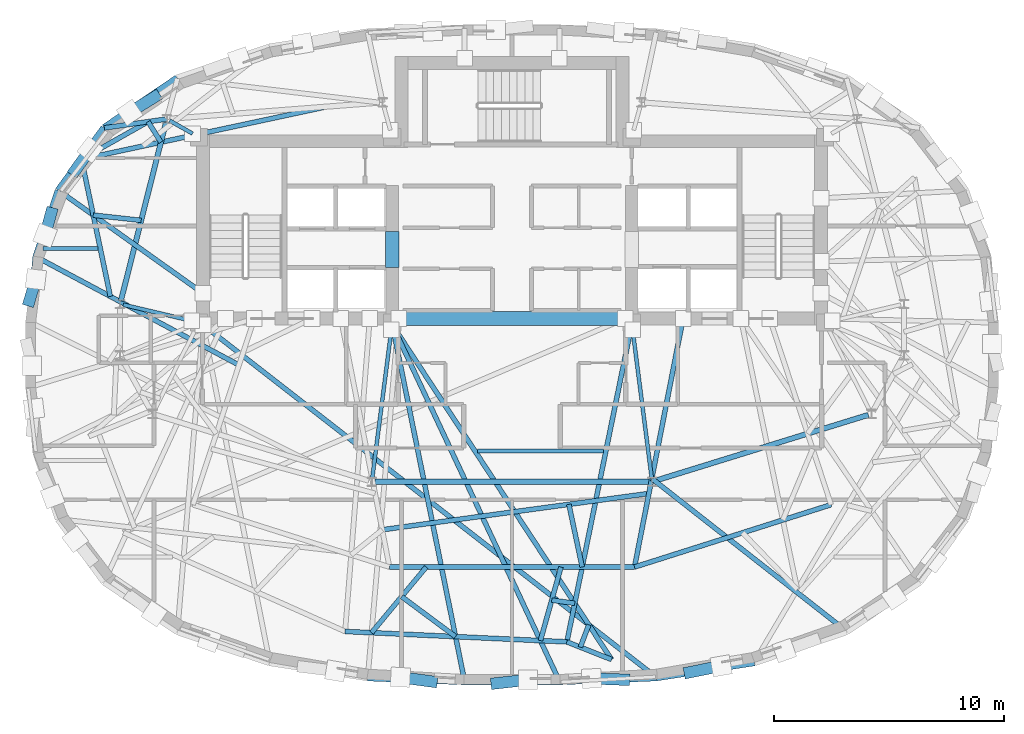
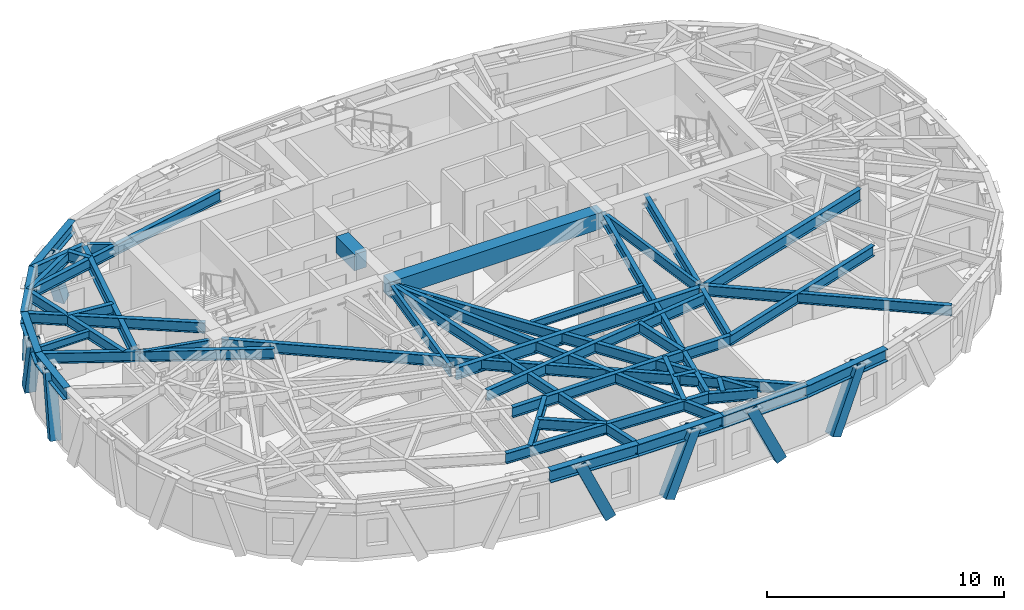
# One storey, part 2 of 12: 45 beams, 8 members.
"""IFC4 building model written with IfcOpenShell, lengths in metres."""

from ifc_helpers import new_model, si_unit, direction, frame, origin, origin_2d, place, context, subcontext, project, spatial, rectangle, hollow_rectangle, i_section, extrude, material, material_profile, profile_set, type_object, element, save


model = new_model("IFC4")

# Units and contexts
model_context = context("Model", 3, precision=1e-05, world=origin(), true_north=direction((0.0, 1.0)))
body_context = subcontext(model_context, "Body", "Model", "MODEL_VIEW")
ifc_project = project(units=[si_unit("LENGTHUNIT", "METRE"), si_unit("AREAUNIT", "SQUARE_METRE"), si_unit("VOLUMEUNIT", "CUBIC_METRE"), si_unit("PLANEANGLEUNIT", "RADIAN"), si_unit("MASSUNIT", "GRAM", prefix="KILO")], contexts=[model_context])

# Site, building, storey
site_placement = place(None, origin())
site = spatial("IfcSite", under=ifc_project, at=site_placement, CompositionType="ELEMENT")
building_placement = place(site_placement, origin())
building = spatial("IfcBuilding", under=site, at=building_placement, Name="Keldmark Tower", CompositionType="ELEMENT")
storey_placement = place(building_placement, frame((0.0, 0.0, 247.800048828125)))
storey = spatial("IfcBuildingStorey", under=building, at=storey_placement, Name="L70", CompositionType="ELEMENT", Elevation=247.800048828125)

# Beams
ifc_material_1 = material(Name="Steel ASTM A992 Grade 50", Category="steel")
ifc_material_profile_1 = material_profile(ifc_material_1, i_section(OverallWidth=0.177978515625, OverallDepth=0.403076171875, WebThickness=0.007568359375, FlangeThickness=0.010986328125, at=origin_2d()), Name="W16X36")
ifc_profile_set_1 = profile_set([ifc_material_profile_1], Name="Steel ASTM A992 Grade 50")
beam_type_1 = type_object("IfcBeamType", Name="Composite Floor Joist W16X36", PredefinedType="JOIST", material=ifc_profile_set_1)
beam_1_placement = place(storey_placement, frame((-1.493896484375, -4.179931640625, 2.7685546875), z_axis=(1.0, 0.0, 0.0), x_axis=(0.0, 1.0, 0.0)))
element("IfcBeam", 1, at=beam_1_placement, inside=storey, type_object=beam_type_1, Name="L70 Composite Floor Joist J04", PredefinedType="JOIST", context=body_context, shape_type="SweptSolid", body=[
    extrude(i_section(OverallWidth=0.177978515625, OverallDepth=0.403076171875, WebThickness=0.007568359375, FlangeThickness=0.010986328125, at=origin_2d()), origin(), (0.0, 0.0, 1.0), 5.4755859375),
])
beam_2_placement = place(storey_placement, frame((-20.373046875, 4.6201171875, 2.7685546875), z_axis=(1.0, 0.0, 0.0), x_axis=(0.0, 1.0, 0.0)))
element("IfcBeam", 2, at=beam_2_placement, inside=storey, type_object=beam_type_1, Name="L70 Composite Floor Joist J05", PredefinedType="JOIST", context=body_context, shape_type="SweptSolid", body=[
    extrude(i_section(OverallWidth=0.177978515625, OverallDepth=0.403076171875, WebThickness=0.007568359375, FlangeThickness=0.010986328125, at=origin_2d()), origin(), (0.0, 0.0, 1.0), 2.387939453125),
])
ifc_material_2 = material(Name="Concrete C50/60", Category="concrete")
ifc_material_profile_2 = material_profile(ifc_material_2, rectangle(XDim=0.60009765625, YDim=0.85009765625, at=origin_2d()), Name="RCB600X850")
ifc_profile_set_2 = profile_set([ifc_material_profile_2], Name="Concrete C50/60")
beam_type_2 = type_object("IfcBeamType", Name="Core Coupling Beam RCB600X850", PredefinedType="USERDEFINED", material=ifc_profile_set_2)
beam_3_placement = place(storey_placement, frame((-5.199951171875, 3.800048828125, 2.544921875), z_axis=(0.0, 1.0, 0.0), x_axis=(-1.0, 0.0, 0.0)))
element("IfcBeam", 3, at=beam_3_placement, inside=storey, type_object=beam_type_2, Name="L70 West Core Coupling Beam", ObjectType="COUPLING BEAM", PredefinedType="USERDEFINED", context=body_context, shape_type="SweptSolid", body=[
    extrude(rectangle(XDim=0.60009765625, YDim=0.85009765625, at=origin_2d()), origin(), (0.0, 0.0, 1.0), 1.550048828125),
])
beam_4_placement = place(storey_placement, frame((-5.199951171875, 1.574951171875, 2.544921875), z_axis=(1.0, 0.0, 0.0), x_axis=(0.0, 1.0, 0.0)))
element("IfcBeam", 4, at=beam_4_placement, inside=storey, type_object=beam_type_2, Name="L70 Central South Core Coupling Beam", ObjectType="COUPLING BEAM", PredefinedType="USERDEFINED", context=body_context, shape_type="SweptSolid", body=[
    extrude(rectangle(XDim=0.60009765625, YDim=0.85009765625, at=origin_2d()), origin(), (0.0, 0.0, 1.0), 10.39990234375),
])

# Members
ifc_material_3 = material(Name="Steel ASTM A572 Grade 50", Category="steel")
ifc_material_profile_3 = material_profile(ifc_material_3, hollow_rectangle(XDim=0.5, YDim=0.5, WallThickness=0.030029296875, at=origin_2d()), Name="BOX500X500X30")
ifc_profile_set_3 = profile_set([ifc_material_profile_3], Name="Steel ASTM A572 Grade 50")
member_type = type_object("IfcMemberType", Name="Diagrid Upper Brace BOX500X500X30", PredefinedType="BRACE", material=ifc_profile_set_3)
member_1_placement = place(storey_placement, frame((-15.509033203125, 11.210693359375, -0.260009765625), z_axis=(-0.327427680712, -0.203338384902, 0.922737565687), x_axis=(0.52756402166, -0.849515275348, 0.0)))
element("IfcMember", 5, at=member_1_placement, inside=storey, type_object=member_type, Name="L70 Perimeter Diagrid Brace 06B", PredefinedType="BRACE", context=body_context, shape_type="SweptSolid", body=[
    extrude(hollow_rectangle(XDim=0.5, YDim=0.5, WallThickness=0.030029296875, at=origin_2d()), origin(), (0.0, 0.0, 1.0), 3.370361328125),
])
member_2_placement = place(storey_placement, frame((-18.98193359375, 8.000244140625, -0.260009765625), z_axis=(0.198926312368, 0.275203550927, 0.940580314383), x_axis=(-0.810444067748, 0.585816023212, 0.0)))
element("IfcMember", 6, at=member_2_placement, inside=storey, type_object=member_type, Name="L70 Perimeter Diagrid Brace 07A", PredefinedType="BRACE", context=body_context, shape_type="SweptSolid", body=[
    extrude(hollow_rectangle(XDim=0.5, YDim=0.5, WallThickness=0.030029296875, at=origin_2d()), origin(), (0.0, 0.0, 1.0), 3.306396484375),
])
member_3_placement = place(storey_placement, frame((-20.02001953125, 6.16015625, -0.260009765625), z_axis=(-0.081072765413, -0.298610554007, 0.950925309235), x_axis=(0.965063845908, -0.262014834164, 0.0)))
element("IfcMember", 7, at=member_3_placement, inside=storey, type_object=member_type, Name="L70 Perimeter Diagrid Brace 07B", PredefinedType="BRACE", context=body_context, shape_type="SweptSolid", body=[
    extrude(hollow_rectangle(XDim=0.5, YDim=0.5, WallThickness=0.030029296875, at=origin_2d()), origin(), (0.0, 0.0, 1.0), 3.270263671875),
])
member_4_placement = place(storey_placement, frame((-20.962646484375, 2.34912109375, -0.260009765625), z_axis=(0.084895755015, 0.286008029031, 0.954459070945), x_axis=(-0.95865864275, 0.284558617301, 0.0)))
element("IfcMember", 8, at=member_4_placement, inside=storey, type_object=member_type, Name="L70 Perimeter Diagrid Brace 08A", PredefinedType="BRACE", context=body_context, shape_type="SweptSolid", body=[
    extrude(hollow_rectangle(XDim=0.5, YDim=0.5, WallThickness=0.030029296875, at=origin_2d()), origin(), (0.0, 0.0, 1.0), 3.25830078125),
])
member_5_placement = place(storey_placement, frame((-3.47265625, -14.195068359375, -0.260009765625), z_axis=(-0.403702380208, 0.05520348655, 0.913223391776), x_axis=(-0.13548222838, -0.990779776637, 0.0)))
element("IfcMember", 9, at=member_5_placement, inside=storey, type_object=member_type, Name="L70 Perimeter Diagrid Brace 12A", PredefinedType="BRACE", context=body_context, shape_type="SweptSolid", body=[
    extrude(hollow_rectangle(XDim=0.5, YDim=0.5, WallThickness=0.030029296875, at=origin_2d()), origin(), (0.0, 0.0, 1.0), 3.4052734375),
])
member_6_placement = place(storey_placement, frame((-0.68798828125, -14.270263671875, -0.260009765625), z_axis=(0.405289051372, 0.044944505697, 0.913083115738), x_axis=(-0.110219291289, 0.993907293377, 0.0)))
element("IfcMember", 10, at=member_6_placement, inside=storey, type_object=member_type, Name="L70 Perimeter Diagrid Brace 12B", PredefinedType="BRACE", context=body_context, shape_type="SweptSolid", body=[
    extrude(hollow_rectangle(XDim=0.5, YDim=0.5, WallThickness=0.030029296875, at=origin_2d()), origin(), (0.0, 0.0, 1.0), 3.406005859375),
])
member_7_placement = place(storey_placement, frame((4.892578125, -14.115234375, -0.260009765625), z_axis=(-0.419294927222, 0.01581976102, 0.907712233677), x_axis=(-0.037702610274, -0.999289003831, 0.0)))
element("IfcMember", 11, at=member_7_placement, inside=storey, type_object=member_type, Name="L70 Perimeter Diagrid Brace 13A", PredefinedType="BRACE", context=body_context, shape_type="SweptSolid", body=[
    extrude(hollow_rectangle(XDim=0.5, YDim=0.5, WallThickness=0.030029296875, at=origin_2d()), origin(), (0.0, 0.0, 1.0), 3.426025390625),
])
member_8_placement = place(storey_placement, frame((7.69970703125, -13.79638671875, -0.260009765625), z_axis=(0.406515463437, 0.082717432202, 0.909891754219), x_axis=(-0.199393225958, 0.979919558659, 0.0)))
element("IfcMember", 12, at=member_8_placement, inside=storey, type_object=member_type, Name="L70 Perimeter Diagrid Brace 13B", PredefinedType="BRACE", context=body_context, shape_type="SweptSolid", body=[
    extrude(hollow_rectangle(XDim=0.5, YDim=0.5, WallThickness=0.030029296875, at=origin_2d()), origin(), (0.0, 0.0, 1.0), 3.417724609375),
])

# Beams
ifc_material_4 = material(Name="Steel ASTM A992 Grade 50", Category="steel")
ifc_material_profile_4 = material_profile(ifc_material_4, i_section(OverallWidth=0.22802734375, OverallDepth=0.60302734375, WebThickness=0.010498046875, FlangeThickness=0.014892578125, at=origin_2d()), Name="W24X68")
ifc_profile_set_4 = profile_set([ifc_material_profile_4], Name="Steel ASTM A992 Grade 50")
beam_type_3 = type_object("IfcBeamType", Name="Primary Floor Girder W24X68", PredefinedType="BEAM", material=ifc_profile_set_4)
beam_5_placement = place(storey_placement, frame((-15.030029296875, 10.10791015625, 2.66845703125), z_axis=(-0.244902129455, -0.969547805417, 0.0), x_axis=(0.969547805417, -0.244902129455, 0.0)))
element("IfcBeam", 13, at=beam_5_placement, inside=storey, type_object=beam_type_3, Name="L70 Floor Ring Girder FG-R05", PredefinedType="BEAM", context=body_context, shape_type="SweptSolid", body=[
    extrude(i_section(OverallWidth=0.22802734375, OverallDepth=0.60302734375, WebThickness=0.010498046875, FlangeThickness=0.014892578125, at=origin_2d()), origin(), (0.0, 0.0, 1.0), 8.008056640625),
])
beam_6_placement = place(storey_placement, frame((-5.949462890625, -5.512939453125, 2.66845703125), z_axis=(1.0, 0.0, 0.0), x_axis=(0.0, 1.0, 0.0)))
element("IfcBeam", 14, at=beam_6_placement, inside=storey, type_object=beam_type_3, Name="L70 Floor Ring Girder FG-R09", PredefinedType="BEAM", context=body_context, shape_type="SweptSolid", body=[
    extrude(i_section(OverallWidth=0.22802734375, OverallDepth=0.60302734375, WebThickness=0.010498046875, FlangeThickness=0.014892578125, at=origin_2d()), origin(), (0.0, 0.0, 1.0), 11.89892578125),
])
beam_7_placement = place(storey_placement, frame((6.223388671875, -5.471435546875, 2.66845703125), z_axis=(0.955383255089, 0.295368982622, 0.0), x_axis=(-0.295368982622, 0.955383255089, 0.0)))
element("IfcBeam", 15, at=beam_7_placement, inside=storey, type_object=beam_type_3, Name="L70 Floor Ring Girder FG-R10", PredefinedType="BEAM", context=body_context, shape_type="SweptSolid", body=[
    extrude(i_section(OverallWidth=0.22802734375, OverallDepth=0.60302734375, WebThickness=0.010498046875, FlangeThickness=0.014892578125, at=origin_2d()), origin(), (0.0, 0.0, 1.0), 9.69140625),
])
ifc_material_5 = material(Name="Steel ASTM A992 Grade 50", Category="steel")
ifc_material_profile_5 = material_profile(ifc_material_5, i_section(OverallWidth=0.166015625, OverallDepth=0.529052734375, WebThickness=0.009765625, FlangeThickness=0.013671875, at=origin_2d()), Name="W21X50")
ifc_profile_set_5 = profile_set([ifc_material_profile_5], Name="Steel ASTM A992 Grade 50")
beam_type_4 = type_object("IfcBeamType", Name="Radial Tie Girder W21X50", PredefinedType="BEAM", material=ifc_profile_set_5)
beam_8_placement = place(storey_placement, frame((-14.8740234375, 10.174560546875, 2.70556640625), z_axis=(0.869238046195, -0.494393789451, 0.0), x_axis=(0.494393789451, 0.869238046195, 0.0)))
element("IfcBeam", 16, at=beam_8_placement, inside=storey, type_object=beam_type_4, Name="L70 Floor Radial Girder FG-C05", PredefinedType="BEAM", context=body_context, shape_type="SweptSolid", body=[
    extrude(i_section(OverallWidth=0.166015625, OverallDepth=0.529052734375, WebThickness=0.009765625, FlangeThickness=0.013671875, at=origin_2d()), origin(), (0.0, 0.0, 1.0), 1.145751953125),
])
beam_9_placement = place(storey_placement, frame((-16.889404296875, 2.17578125, 2.70556640625), z_axis=(0.97329039005, -0.229577474147, 0.0), x_axis=(0.229577474147, 0.97329039005, 0.0)))
element("IfcBeam", 17, at=beam_9_placement, inside=storey, type_object=beam_type_4, Name="L70 Floor Radial Girder FG-C06", PredefinedType="BEAM", context=body_context, shape_type="SweptSolid", body=[
    extrude(i_section(OverallWidth=0.166015625, OverallDepth=0.529052734375, WebThickness=0.009765625, FlangeThickness=0.013671875, at=origin_2d()), origin(), (0.0, 0.0, 1.0), 3.0595703125),
])
for number, where, z_axis, x_axis, name in (
    (18, (-6.071533203125, -5.3740234375, 2.70556640625), (0.127625044513, 0.991822488157, 0.0), (-0.991822488157, 0.127625044513, 0.0), "L70 Floor Radial Girder FG-C09"),
    (19, (6.071533203125, -5.3740234375, 2.70556640625), (-0.127625044513, 0.991822488157, 0.0), (-0.991822488157, -0.127625044513, 0.0), "L70 Floor Radial Girder FG-C10"),
):
    element("IfcBeam", number, at=place(storey_placement, frame(where, z_axis=z_axis, x_axis=x_axis)), inside=storey, type_object=beam_type_4, Name=name, PredefinedType="BEAM", context=body_context, shape_type="SweptSolid", body=[
        extrude(i_section(OverallWidth=0.166015625, OverallDepth=0.529052734375, WebThickness=0.009765625, FlangeThickness=0.013671875, at=origin_2d()), origin(), (0.0, 0.0, 1.0), 6.509765625),
    ])
ifc_material_6 = material(Name="Steel ASTM A992 Grade 50", Category="steel")
ifc_material_profile_6 = material_profile(ifc_material_6, i_section(OverallWidth=0.2099609375, OverallDepth=0.537109375, WebThickness=0.010986328125, FlangeThickness=0.017333984375, at=origin_2d()), Name="W21X68")
ifc_profile_set_6 = profile_set([ifc_material_profile_6], Name="Steel ASTM A992 Grade 50")
beam_type_5 = type_object("IfcBeamType", Name="Radial Tie Girder W21X68", PredefinedType="BEAM", material=ifc_profile_set_6)
beam_10_placement = place(storey_placement, frame((-5.638916015625, -7.601806640625, 2.701416015625), z_axis=(0.990861651064, 0.13488212799, 0.0), x_axis=(-0.13488212799, 0.990861651064, 0.0)))
element("IfcBeam", 20, at=beam_10_placement, inside=storey, type_object=beam_type_5, Name="L70 Framing Pin Header PH-003", PredefinedType="BEAM", context=body_context, shape_type="SweptSolid", body=[
    extrude(i_section(OverallWidth=0.2099609375, OverallDepth=0.537109375, WebThickness=0.010986328125, FlangeThickness=0.017333984375, at=origin_2d()), origin(), (0.0, 0.0, 1.0), 11.69287109375),
])
beam_11_placement = place(storey_placement, frame((7.43212890625, 1.574951171875, 2.701416015625), z_axis=(-0.191777862453, -0.981438358468, 0.0), x_axis=(0.981438358468, -0.191777862453, 0.0)))
element("IfcBeam", 21, at=beam_11_placement, inside=storey, type_object=beam_type_5, Name="L70 Sub-Ring Step Girder STP1-M10", PredefinedType="BEAM", context=body_context, shape_type="SweptSolid", body=[
    extrude(i_section(OverallWidth=0.2099609375, OverallDepth=0.537109375, WebThickness=0.010986328125, FlangeThickness=0.017333984375, at=origin_2d()), origin(), (0.0, 0.0, 1.0), 11.000244140625),
])
beam_12_placement = place(storey_placement, frame((-5.322509765625, -9.22119140625, 2.701416015625), z_axis=(1.0, 0.0, 0.0), x_axis=(0.0, 1.0, 0.0)))
element("IfcBeam", 22, at=beam_12_placement, inside=storey, type_object=beam_type_5, Name="L70 Perimeter Collector Ring Beam CRG1-M09", PredefinedType="BEAM", context=body_context, shape_type="SweptSolid", body=[
    extrude(i_section(OverallWidth=0.2099609375, OverallDepth=0.537109375, WebThickness=0.010986328125, FlangeThickness=0.017333984375, at=origin_2d()), origin(), (0.0, 0.0, 1.0), 10.64501953125),
])
beam_13_placement = place(storey_placement, frame((5.322509765625, -9.22119140625, 2.701416015625), z_axis=(0.953164928695, 0.302451018689, 0.0), x_axis=(-0.302451018689, 0.953164928695, 0.0)))
element("IfcBeam", 23, at=beam_13_placement, inside=storey, type_object=beam_type_5, Name="L70 Perimeter Collector Ring Beam CRG1-M10", PredefinedType="BEAM", context=body_context, shape_type="SweptSolid", body=[
    extrude(i_section(OverallWidth=0.2099609375, OverallDepth=0.537109375, WebThickness=0.010986328125, FlangeThickness=0.017333984375, at=origin_2d()), origin(), (0.0, 0.0, 1.0), 8.95849609375),
])
beam_14_placement = place(storey_placement, frame((2.47119140625, -6.497802734375, 2.701416015625), z_axis=(0.207570324713, -0.978220098086, 0.0), x_axis=(0.978220098086, 0.207570324713, 0.0)))
element("IfcBeam", 24, at=beam_14_placement, inside=storey, type_object=beam_type_5, Name="L70 Framing Pin Header PH-007", PredefinedType="BEAM", context=body_context, shape_type="SweptSolid", body=[
    extrude(i_section(OverallWidth=0.2099609375, OverallDepth=0.537109375, WebThickness=0.010986328125, FlangeThickness=0.017333984375, at=origin_2d()), origin(), (0.0, 0.0, 1.0), 2.783935546875),
])
beam_15_placement = place(storey_placement, frame((5.199951171875, 1.300048828125, 2.701416015625), z_axis=(-0.200299616196, -0.979734690491, 0.0), x_axis=(0.979734690491, -0.200299616196, 0.0)))
element("IfcBeam", 25, at=beam_15_placement, inside=storey, type_object=beam_type_5, Name="L70 Sub-Ring Step Girder STP2-M10", PredefinedType="BEAM", context=body_context, shape_type="SweptSolid", body=[
    extrude(i_section(OverallWidth=0.2099609375, OverallDepth=0.537109375, WebThickness=0.010986328125, FlangeThickness=0.017333984375, at=origin_2d()), origin(), (0.0, 0.0, 1.0), 14.05615234375),
])
beam_16_placement = place(storey_placement, frame((-7.24951171875, -12.019287109375, 2.701416015625), z_axis=(0.998901675389, -0.046855553614, 0.0), x_axis=(0.046855553614, 0.998901675389, 0.0)))
element("IfcBeam", 26, at=beam_16_placement, inside=storey, type_object=beam_type_5, Name="L70 Perimeter Collector Ring Beam CRG2-M09", PredefinedType="BEAM", context=body_context, shape_type="SweptSolid", body=[
    extrude(i_section(OverallWidth=0.2099609375, OverallDepth=0.537109375, WebThickness=0.010986328125, FlangeThickness=0.017333984375, at=origin_2d()), origin(), (0.0, 0.0, 1.0), 9.64453125),
])
beam_17_placement = place(storey_placement, frame((-14.995849609375, 10.24365234375, 2.701416015625), z_axis=(-0.98984411669, -0.142157042224, 0.0), x_axis=(0.142157042224, -0.98984411669, 0.0)))
element("IfcBeam", 27, at=beam_17_placement, inside=storey, type_object=beam_type_5, Name="L70 Perimeter Column Bracket RT-13", PredefinedType="BEAM", context=body_context, shape_type="SweptSolid", body=[
    extrude(i_section(OverallWidth=0.2099609375, OverallDepth=0.537109375, WebThickness=0.010986328125, FlangeThickness=0.017333984375, at=origin_2d()), origin(), (0.0, 0.0, 1.0), 2.740966796875),
])
beam_18_placement = place(storey_placement, frame((-15.809814453125, 10.126708984375, 2.701416015625), z_axis=(0.531040766816, -0.847346271591, 0.0), x_axis=(0.847346271591, 0.531040766816, 0.0)))
element("IfcBeam", 28, at=beam_18_placement, inside=storey, type_object=beam_type_5, Name="L70 Framing Pin Header PH-014", PredefinedType="BEAM", context=body_context, shape_type="SweptSolid", body=[
    extrude(i_section(OverallWidth=0.2099609375, OverallDepth=0.537109375, WebThickness=0.010986328125, FlangeThickness=0.017333984375, at=origin_2d()), origin(), (0.0, 0.0, 1.0), 1.052734375),
])
beam_19_placement = place(storey_placement, frame((-8.03271484375, 10.781005859375, 2.701416015625), z_axis=(-0.977815510702, -0.209467961822, 0.0), x_axis=(0.209467961822, -0.977815510702, 0.0)))
element("IfcBeam", 29, at=beam_19_placement, inside=storey, type_object=beam_type_5, Name="L70 Intermediate Radial Step Girder RT-14M", PredefinedType="BEAM", context=body_context, shape_type="SweptSolid", body=[
    extrude(i_section(OverallWidth=0.2099609375, OverallDepth=0.537109375, WebThickness=0.010986328125, FlangeThickness=0.017333984375, at=origin_2d()), origin(), (0.0, 0.0, 1.0), 10.910400390625),
])
beam_20_placement = place(storey_placement, frame((-15.809814453125, 10.126708984375, 2.701416015625), z_axis=(-0.870967977143, -0.491339783441, 0.0), x_axis=(0.491339783441, -0.870967977143, 0.0)))
element("IfcBeam", 30, at=beam_20_placement, inside=storey, type_object=beam_type_5, Name="L70 Local Collector Chord RT-14C", PredefinedType="BEAM", context=body_context, shape_type="SweptSolid", body=[
    extrude(i_section(OverallWidth=0.2099609375, OverallDepth=0.537109375, WebThickness=0.010986328125, FlangeThickness=0.017333984375, at=origin_2d()), origin(), (0.0, 0.0, 1.0), 3.31982421875),
])
beam_21_placement = place(storey_placement, frame((-18.701171875, 8.49560546875, 2.701416015625), z_axis=(0.205574059001, -0.978641561689, 0.0), x_axis=(0.978641561689, 0.205574059001, 0.0)))
element("IfcBeam", 31, at=beam_21_placement, inside=storey, type_object=beam_type_5, Name="L70 Framing Pin Header PH-015", PredefinedType="BEAM", context=body_context, shape_type="SweptSolid", body=[
    extrude(i_section(OverallWidth=0.2099609375, OverallDepth=0.537109375, WebThickness=0.010986328125, FlangeThickness=0.017333984375, at=origin_2d()), origin(), (0.0, 0.0, 1.0), 6.090087890625),
])
beam_22_placement = place(storey_placement, frame((-11.860107421875, -0.44677734375, 2.701416015625), z_axis=(-0.882246547282, 0.47078766956, 0.0), x_axis=(-0.47078766956, -0.882246547282, 0.0)))
element("IfcBeam", 32, at=beam_22_placement, inside=storey, type_object=beam_type_5, Name="L70 Perimeter Radial Tie Girder RT-15", PredefinedType="BEAM", context=body_context, shape_type="SweptSolid", body=[
    extrude(i_section(OverallWidth=0.2099609375, OverallDepth=0.537109375, WebThickness=0.010986328125, FlangeThickness=0.017333984375, at=origin_2d()), origin(), (0.0, 0.0, 1.0), 9.974853515625),
])
beam_23_placement = place(storey_placement, frame((-3.7255859375, -9.22119140625, 2.701416015625), z_axis=(-0.6399126107, -0.768447688959, 0.0), x_axis=(0.768447688959, -0.6399126107, 0.0)))
element("IfcBeam", 33, at=beam_23_placement, inside=storey, type_object=beam_type_5, Name="L70 Framing Pin Header PH-022", PredefinedType="BEAM", context=body_context, shape_type="SweptSolid", body=[
    extrude(i_section(OverallWidth=0.2099609375, OverallDepth=0.537109375, WebThickness=0.010986328125, FlangeThickness=0.017333984375, at=origin_2d()), origin(), (0.0, 0.0, 1.0), 3.71142578125),
])
beam_24_placement = place(storey_placement, frame((-4.79443359375, -10.50439453125, 2.701416015625), z_axis=(0.802802199332, -0.596245443377, 0.0), x_axis=(0.596245443377, 0.802802199332, 0.0)))
element("IfcBeam", 34, at=beam_24_placement, inside=storey, type_object=beam_type_5, Name="L70 Framing Pin Header PH-023", PredefinedType="BEAM", context=body_context, shape_type="SweptSolid", body=[
    extrude(i_section(OverallWidth=0.2099609375, OverallDepth=0.537109375, WebThickness=0.010986328125, FlangeThickness=0.017333984375, at=origin_2d()), origin(), (0.0, 0.0, 1.0), 2.918212890625),
])
beam_25_placement = place(storey_placement, frame((-5.199951171875, 1.300048828125, 2.701416015625), z_axis=(0.198868305034, -0.980026222737, 0.0), x_axis=(0.980026222737, 0.198868305034, 0.0)))
element("IfcBeam", 35, at=beam_25_placement, inside=storey, type_object=beam_type_5, Name="L70 Perimeter Radial Tie Girder RT-24", PredefinedType="BEAM", context=body_context, shape_type="SweptSolid", body=[
    extrude(i_section(OverallWidth=0.2099609375, OverallDepth=0.537109375, WebThickness=0.010986328125, FlangeThickness=0.017333984375, at=origin_2d()), origin(), (0.0, 0.0, 1.0), 15.79248046875),
])
beam_26_placement = place(storey_placement, frame((2.12890625, -9.22119140625, 2.701416015625), z_axis=(-0.269684497559, -0.962948737876, 0.0), x_axis=(0.962948737876, -0.269684497559, 0.0)))
element("IfcBeam", 36, at=beam_26_placement, inside=storey, type_object=beam_type_5, Name="L70 Framing Pin Header PH-024", PredefinedType="BEAM", context=body_context, shape_type="SweptSolid", body=[
    extrude(i_section(OverallWidth=0.2099609375, OverallDepth=0.537109375, WebThickness=0.010986328125, FlangeThickness=0.017333984375, at=origin_2d()), origin(), (0.0, 0.0, 1.0), 3.31884765625),
])
beam_27_placement = place(storey_placement, frame((-5.199951171875, 1.300048828125, 2.701416015625), z_axis=(0.424645353962, -0.905359775646, 0.0), x_axis=(0.905359775646, 0.424645353962, 0.0)))
element("IfcBeam", 37, at=beam_27_placement, inside=storey, type_object=beam_type_5, Name="L70 Perimeter Radial Tie Girder RT-25", PredefinedType="BEAM", context=body_context, shape_type="SweptSolid", body=[
    extrude(i_section(OverallWidth=0.2099609375, OverallDepth=0.537109375, WebThickness=0.010986328125, FlangeThickness=0.017333984375, at=origin_2d()), origin(), (0.0, 0.0, 1.0), 17.094970703125),
])
beam_28_placement = place(storey_placement, frame((1.726318359375, -10.6591796875, 2.701416015625), z_axis=(0.99042719733, -0.138036106828, 0.0), x_axis=(0.138036106828, 0.99042719733, 0.0)))
element("IfcBeam", 38, at=beam_28_placement, inside=storey, type_object=beam_type_5, Name="L70 Framing Pin Header PH-025", PredefinedType="BEAM", context=body_context, shape_type="SweptSolid", body=[
    extrude(i_section(OverallWidth=0.2099609375, OverallDepth=0.537109375, WebThickness=0.010986328125, FlangeThickness=0.017333984375, at=origin_2d()), origin(), (0.0, 0.0, 1.0), 1.010009765625),
])
beam_29_placement = place(storey_placement, frame((-5.199951171875, 1.300048828125, 2.701416015625), z_axis=(0.548018463446, -0.836466235853, 0.0), x_axis=(0.836466235853, 0.548018463446, 0.0)))
element("IfcBeam", 39, at=beam_29_placement, inside=storey, type_object=beam_type_5, Name="L70 Intermediate Radial Step Girder RT-26M", PredefinedType="BEAM", context=body_context, shape_type="SweptSolid", body=[
    extrude(i_section(OverallWidth=0.2099609375, OverallDepth=0.537109375, WebThickness=0.010986328125, FlangeThickness=0.017333984375, at=origin_2d()), origin(), (0.0, 0.0, 1.0), 17.38232421875),
])
beam_30_placement = place(storey_placement, frame((2.384521484375, -12.47119140625, 2.701416015625), z_axis=(0.929793274593, -0.368082146431, 0.0), x_axis=(0.368082146431, 0.929793274593, 0.0)))
element("IfcBeam", 40, at=beam_30_placement, inside=storey, type_object=beam_type_5, Name="L70 Local Collector Chord RT-26C", PredefinedType="BEAM", context=body_context, shape_type="SweptSolid", body=[
    extrude(i_section(OverallWidth=0.2099609375, OverallDepth=0.537109375, WebThickness=0.010986328125, FlangeThickness=0.017333984375, at=origin_2d()), origin(), (0.0, 0.0, 1.0), 2.087890625),
])
beam_31_placement = place(storey_placement, frame((2.967041015625, -12.70166015625, 2.701416015625), z_axis=(0.355829284585, 0.934550972517, 0.0), x_axis=(-0.934550972517, 0.355829284585, 0.0)))
element("IfcBeam", 41, at=beam_31_placement, inside=storey, type_object=beam_type_5, Name="L70 Framing Pin Header PH-026", PredefinedType="BEAM", context=body_context, shape_type="SweptSolid", body=[
    extrude(i_section(OverallWidth=0.2099609375, OverallDepth=0.537109375, WebThickness=0.010986328125, FlangeThickness=0.017333984375, at=origin_2d()), origin(), (0.0, 0.0, 1.0), 1.03955078125),
])
beam_32_placement = place(storey_placement, frame((-13.425048828125, 1.300048828125, 2.701416015625), z_axis=(0.789506618208, -0.613742046634, 0.0), x_axis=(0.613742046634, 0.789506618208, 0.0)))
element("IfcBeam", 42, at=beam_32_placement, inside=storey, type_object=beam_type_5, Name="L70 Perimeter Radial Tie Girder RT-26", PredefinedType="BEAM", context=body_context, shape_type="SweptSolid", body=[
    extrude(i_section(OverallWidth=0.2099609375, OverallDepth=0.537109375, WebThickness=0.010986328125, FlangeThickness=0.017333984375, at=origin_2d()), origin(), (0.0, 0.0, 1.0), 24.942626953125),
])
beam_33_placement = place(storey_placement, frame((6.071533203125, -5.3740234375, 2.701416015625), z_axis=(0.787022244018, -0.616924620534, 0.0), x_axis=(0.616924620534, 0.787022244018, 0.0)))
element("IfcBeam", 43, at=beam_33_placement, inside=storey, type_object=beam_type_5, Name="L70 Perimeter Radial Tie Girder RT-28", PredefinedType="BEAM", context=body_context, shape_type="SweptSolid", body=[
    extrude(i_section(OverallWidth=0.2099609375, OverallDepth=0.537109375, WebThickness=0.010986328125, FlangeThickness=0.017333984375, at=origin_2d()), origin(), (0.0, 0.0, 1.0), 10.751708984375),
])
beam_34_placement = place(storey_placement, frame((-16.10888671875, 5.837646484375, 2.701416015625), z_axis=(-0.993943279125, 0.109894303226, 0.0), x_axis=(-0.109894303226, -0.993943279125, 0.0)))
element("IfcBeam", 44, at=beam_34_placement, inside=storey, type_object=beam_type_5, Name="L70 Framing Pin Header PH-033", PredefinedType="BEAM", context=body_context, shape_type="SweptSolid", body=[
    extrude(i_section(OverallWidth=0.2099609375, OverallDepth=0.537109375, WebThickness=0.010986328125, FlangeThickness=0.017333984375, at=origin_2d()), origin(), (0.0, 0.0, 1.0), 2.094970703125),
])
beam_35_placement = place(storey_placement, frame((-13.425048828125, 2.675048828125, 2.701416015625), z_axis=(-0.814671486521, 0.579922726792, 0.0), x_axis=(-0.579922726792, -0.814671486521, 0.0)))
element("IfcBeam", 45, at=beam_35_placement, inside=storey, type_object=beam_type_5, Name="L70 Perimeter Radial Tie Girder RT-14R", PredefinedType="BEAM", context=body_context, shape_type="SweptSolid", body=[
    extrude(i_section(OverallWidth=0.2099609375, OverallDepth=0.537109375, WebThickness=0.010986328125, FlangeThickness=0.017333984375, at=origin_2d()), origin(), (0.0, 0.0, 1.0), 7.694091796875),
])
ifc_material_7 = material(Name="Steel ASTM A992 Grade 50", Category="steel")
ifc_material_profile_7 = material_profile(ifc_material_7, i_section(OverallWidth=0.326904296875, OverallDepth=0.6220703125, WebThickness=0.015380859375, FlangeThickness=0.0244140625, at=origin_2d()), Name="W24X131")
ifc_profile_set_7 = profile_set([ifc_material_profile_7], Name="Steel ASTM A992 Grade 50")
beam_type_6 = type_object("IfcBeamType", Name="Spandrel Ring Beam W24X131", PredefinedType="SPANDREL", material=ifc_profile_set_7)
beam_36_placement = place(storey_placement, frame((-14.533447265625, 12.007080078125, 2.658935546875), z_axis=(-0.827687958421, -0.561188598855, 0.0), x_axis=(0.561188598855, -0.827687958421, 0.0)))
element("IfcBeam", 46, at=beam_36_placement, inside=storey, type_object=beam_type_6, Name="L70 Perimeter Spandrel Ring Beam SRB-12", PredefinedType="SPANDREL", context=body_context, shape_type="SweptSolid", body=[
    extrude(i_section(OverallWidth=0.326904296875, OverallDepth=0.6220703125, WebThickness=0.015380859375, FlangeThickness=0.0244140625, at=origin_2d()), origin(), (0.0, 0.0, 1.0), 3.836669921875),
])
beam_37_placement = place(storey_placement, frame((-17.708984375, 9.85400390625, 2.658935546875), z_axis=(-0.589745465015, -0.807589181759, 0.0), x_axis=(0.807589181759, -0.589745465015, 0.0)))
element("IfcBeam", 47, at=beam_37_placement, inside=storey, type_object=beam_type_6, Name="L70 Perimeter Spandrel Ring Beam SRB-13", PredefinedType="SPANDREL", context=body_context, shape_type="SweptSolid", body=[
    extrude(i_section(OverallWidth=0.326904296875, OverallDepth=0.6220703125, WebThickness=0.015380859375, FlangeThickness=0.0244140625, at=origin_2d()), origin(), (0.0, 0.0, 1.0), 3.364501953125),
])
beam_38_placement = place(storey_placement, frame((-19.693115234375, 7.136962890625, 2.658935546875), z_axis=(-0.317622332961, -0.948217302945, 0.0), x_axis=(0.948217302945, -0.317622332961, 0.0)))
element("IfcBeam", 48, at=beam_38_placement, inside=storey, type_object=beam_type_6, Name="L70 Perimeter Spandrel Ring Beam SRB-14", PredefinedType="SPANDREL", context=body_context, shape_type="SweptSolid", body=[
    extrude(i_section(OverallWidth=0.326904296875, OverallDepth=0.6220703125, WebThickness=0.015380859375, FlangeThickness=0.0244140625, at=origin_2d()), origin(), (0.0, 0.0, 1.0), 3.04541015625),
])
beam_39_placement = place(storey_placement, frame((-20.660400390625, 4.249267578125, 2.658935546875), z_axis=(-0.086953331659, -0.996212386047, 0.0), x_axis=(0.996212386047, -0.086953331659, 0.0)))
element("IfcBeam", 49, at=beam_39_placement, inside=storey, type_object=beam_type_6, Name="L70 Perimeter Spandrel Ring Beam SRB-15", PredefinedType="SPANDREL", context=body_context, shape_type="SweptSolid", body=[
    extrude(i_section(OverallWidth=0.326904296875, OverallDepth=0.6220703125, WebThickness=0.015380859375, FlangeThickness=0.0244140625, at=origin_2d()), origin(), (0.0, 0.0, 1.0), 2.86376953125),
])
beam_40_placement = place(storey_placement, frame((-6.267333984375, -14.00830078125, 2.658935546875), z_axis=(0.999197342997, -0.040058329311, 0.0), x_axis=(0.040058329311, 0.999197342997, 0.0)))
element("IfcBeam", 50, at=beam_40_placement, inside=storey, type_object=beam_type_6, Name="L70 Perimeter Spandrel Ring Beam SRB-23", PredefinedType="SPANDREL", context=body_context, shape_type="SweptSolid", body=[
    extrude(i_section(OverallWidth=0.326904296875, OverallDepth=0.6220703125, WebThickness=0.015380859375, FlangeThickness=0.0244140625, at=origin_2d()), origin(), (0.0, 0.0, 1.0), 4.21142578125),
])
beam_41_placement = place(storey_placement, frame((-2.059326171875, -14.177001953125, 2.658935546875), z_axis=(1.0, 0.0, 0.0), x_axis=(0.0, 1.0, 0.0)))
element("IfcBeam", 51, at=beam_41_placement, inside=storey, type_object=beam_type_6, Name="L70 Perimeter Spandrel Ring Beam SRB-24", PredefinedType="SPANDREL", context=body_context, shape_type="SweptSolid", body=[
    extrude(i_section(OverallWidth=0.326904296875, OverallDepth=0.6220703125, WebThickness=0.015380859375, FlangeThickness=0.0244140625, at=origin_2d()), origin(), (0.0, 0.0, 1.0), 4.11865234375),
])
beam_42_placement = place(storey_placement, frame((2.059326171875, -14.177001953125, 2.658935546875), z_axis=(0.999197342997, 0.040058329311, 0.0), x_axis=(-0.040058329311, 0.999197342997, 0.0)))
element("IfcBeam", 52, at=beam_42_placement, inside=storey, type_object=beam_type_6, Name="L70 Perimeter Spandrel Ring Beam SRB-25", PredefinedType="SPANDREL", context=body_context, shape_type="SweptSolid", body=[
    extrude(i_section(OverallWidth=0.326904296875, OverallDepth=0.6220703125, WebThickness=0.015380859375, FlangeThickness=0.0244140625, at=origin_2d()), origin(), (0.0, 0.0, 1.0), 4.21142578125),
])
beam_43_placement = place(storey_placement, frame((6.267333984375, -14.00830078125, 2.658935546875), z_axis=(0.988343515408, 0.152240256014, 0.0), x_axis=(-0.152240256014, 0.988343515408, 0.0)))
element("IfcBeam", 53, at=beam_43_placement, inside=storey, type_object=beam_type_6, Name="L70 Perimeter Spandrel Ring Beam SRB-26", PredefinedType="SPANDREL", context=body_context, shape_type="SweptSolid", body=[
    extrude(i_section(OverallWidth=0.326904296875, OverallDepth=0.6220703125, WebThickness=0.015380859375, FlangeThickness=0.0244140625, at=origin_2d()), origin(), (0.0, 0.0, 1.0), 4.30908203125),
])

save(model, "model.ifc")
